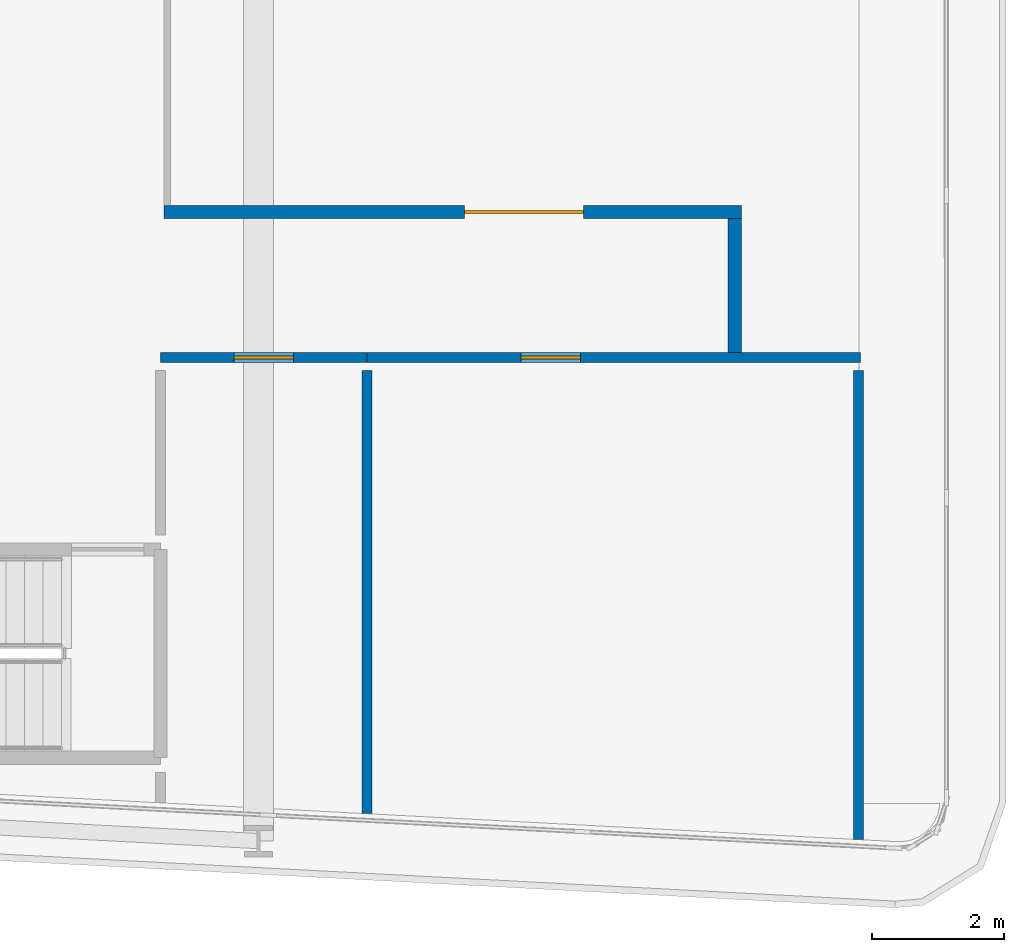
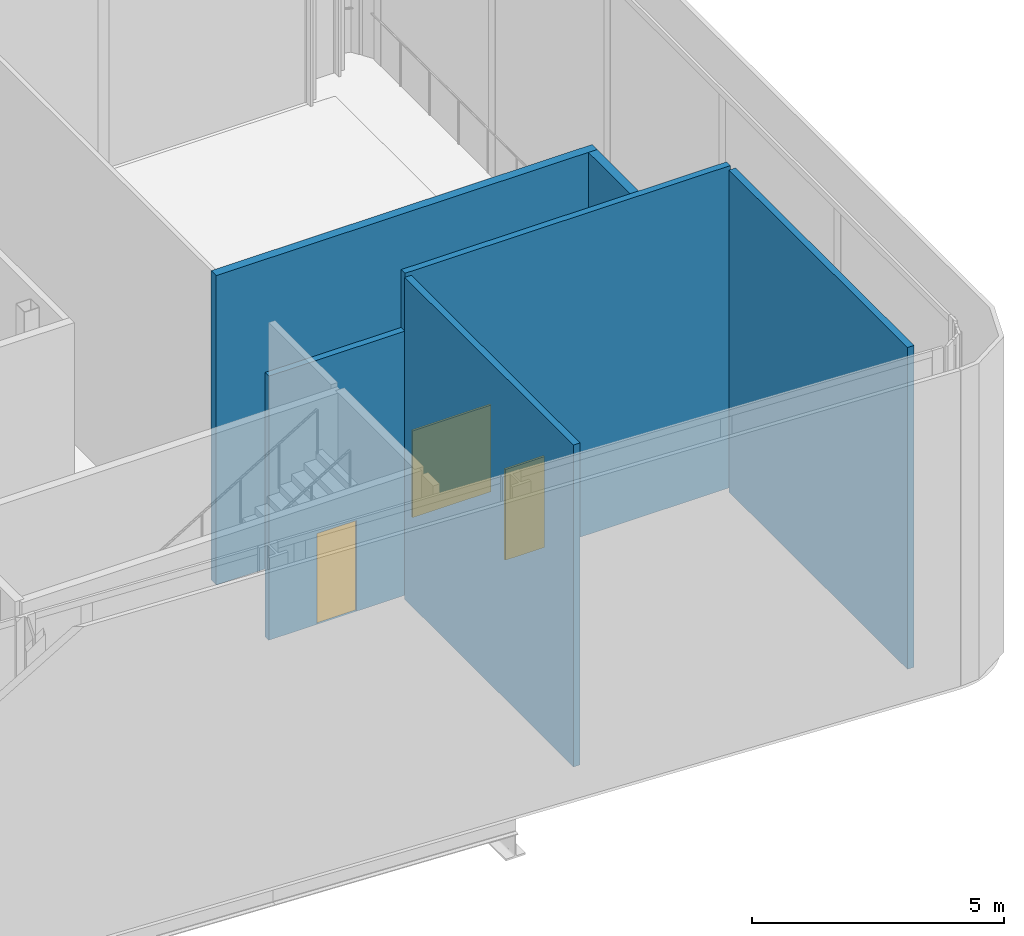
# One storey, part 28 of 36: 6 walls, 3 doors, 3 openings.
"""IFC4 building model written with IfcOpenShell, lengths in metres."""

from ifc_helpers import new_model, si_unit, direction, frame, frame_2d, origin, place, context, subcontext, project, spatial, rectangle, extrude, source, transform, mapped, material, layer, layer_set, type_object, element, fill, save


model = new_model("IFC4")

# Units and contexts
model_context = context("Model", 3, precision=1e-05, world=origin(), true_north=direction((0.0, 1.0)))
body_context = subcontext(model_context, "Body", "Model", "MODEL_VIEW")
ifc_project = project(units=[si_unit("LENGTHUNIT", "METRE"), si_unit("AREAUNIT", "SQUARE_METRE"), si_unit("VOLUMEUNIT", "CUBIC_METRE"), si_unit("PLANEANGLEUNIT", "RADIAN"), si_unit("MASSUNIT", "GRAM", prefix="KILO")], contexts=[model_context])

# Site, building, storey
site_placement = place(None, origin())
site = spatial("IfcSite", under=ifc_project, at=site_placement, CompositionType="ELEMENT")
building_placement = place(site_placement, origin())
building = spatial("IfcBuilding", under=site, at=building_placement, Name="Kheshtan School and Residences Tower", CompositionType="ELEMENT")
storey_placement = place(building_placement, frame((0.0, 0.0, 81.199951171875)))
storey = spatial("IfcBuildingStorey", under=building, at=storey_placement, Name="L19", CompositionType="ELEMENT", Elevation=81.199951171875)

# Wall, opening, door
ifc_material_1 = material(Name="Gypsum board on steel studs with fire boards", Category="steel")
ifc_layer_1 = layer(ifc_material_1, 0.199951171875)
ifc_layer_set_1 = layer_set([ifc_layer_1], Name="Corridor wall 200")
wall_type_1 = type_object("IfcWallType", Name="Corridor wall 200", PredefinedType="PARTITIONING", material=ifc_layer_set_1)
wall_1_placement = place(storey_placement, frame((89.3720703125, 30.5, 0.0), z_axis=(0.0, 0.0, 1.0), x_axis=(1.0, 0.0, 0.0)))
wall_1 = element("IfcWall", 1, at=wall_1_placement, inside=storey, type_object=wall_type_1, Name="Partition L19-035", PredefinedType="PARTITIONING", context=body_context, shape_type="SweptSolid", body=[
    extrude(rectangle(XDim=8.72802734375, YDim=0.199951171875, at=frame_2d((4.364013671875, 0.0))), origin(), (0.0, 0.0, 1.0), 7.5),
])
opening_1_placement = place(wall_1_placement, frame((4.5439453125, 0.0, 0.0)))
opening_1 = element("IfcOpeningElement", 2, at=opening_1_placement, cuts=wall_1, Name="Opening D19-005", PredefinedType="OPENING", context=body_context, shape_type="SweptSolid", body=[
    extrude(rectangle(XDim=1.800048828125, YDim=2.10009765625, at=frame_2d((0.89990234375, 1.050048828125))), frame((0.0, 0.10986328125, 0.0), z_axis=(0.0, -1.0, 0.0), x_axis=(1.0, 0.0, 0.0)), (0.0, 0.0, 1.0), 0.219970703125),
])
ifc_material_2 = material(Name="Steel-framed fire-resisting door leaf", Category="steel")
door_type_1 = type_object("IfcDoorType", Name="Fire double door FD60 1800 x 2100", OperationType="DOUBLE_DOOR_SINGLE_SWING", PredefinedType="DOOR", material=ifc_material_2)
shared_shape_1 = source(origin(), body_context, "Body", "SweptSolid", [
    extrude(rectangle(XDim=1.800048828125, YDim=2.10009765625, at=frame_2d((0.89990234375, 1.050048828125))), frame((0.0, 0.02490234375, 0.0), z_axis=(0.0, -1.0, 0.0), x_axis=(1.0, 0.0, 0.0)), (0.0, 0.0, 1.0), 0.050048828125),
])
door_1_placement = place(opening_1_placement, origin())
door_1 = element("IfcDoor", 3, at=door_1_placement, inside=storey, type_object=door_type_1, Name="Door D19-005", OperationType="DOUBLE_DOOR_SINGLE_SWING", OverallHeight=2.10009765625, OverallWidth=1.800048828125, PredefinedType="DOOR", context=body_context, shape_type="MappedRepresentation", body=[
    mapped(shared_shape_1, transform((0.0, 0.0, 0.0), x_axis=(1.0, 0.0, 0.0), y_axis=(0.0, 1.0, 0.0), z_axis=(0.0, 0.0, 1.0), scale=1.0)),
])
fill(opening_1, door_1)

# Wall
wall_2_placement = place(storey_placement, frame((98.0, 28.3740234375, 0.0), z_axis=(0.0, 0.0, 1.0), x_axis=(0.0, 1.0, 0.0)))
element("IfcWall", 4, at=wall_2_placement, inside=storey, type_object=wall_type_1, Name="Partition L19-037", PredefinedType="PARTITIONING", context=body_context, shape_type="SweptSolid", body=[
    extrude(rectangle(XDim=2.02587890625, YDim=0.199951171875, at=frame_2d((1.012939453125, 0.0))), origin(), (0.0, 0.0, 1.0), 7.5),
])

# Wall, opening, door
ifc_material_3 = material(Name="Fire-board shaft wall system")
ifc_layer_2 = layer(ifc_material_3, 0.14990234375)
ifc_layer_set_2 = layer_set([ifc_layer_2], Name="Service room wall 150")
wall_type_2 = type_object("IfcWallType", Name="Service room wall 150", PredefinedType="PARTITIONING", material=ifc_layer_set_2)
wall_3_placement = place(storey_placement, frame((89.320068359375, 28.300048828125, 0.0), z_axis=(0.0, 0.0, 1.0), x_axis=(1.0, 0.0, 0.0)))
wall_3 = element("IfcWall", 5, at=wall_3_placement, inside=storey, type_object=wall_type_2, Name="Service room wall", PredefinedType="PARTITIONING", context=body_context, shape_type="SweptSolid", body=[
    extrude(rectangle(XDim=3.121826171875, YDim=0.14990234375, at=frame_2d((1.56103515625, 0.0))), origin(), (0.0, 0.0, 1.0), 6.400146484375),
])
opening_2_placement = place(wall_3_placement, frame((1.111083984375, 0.0, 0.0)))
opening_2 = element("IfcOpeningElement", 6, at=opening_2_placement, cuts=wall_3, Name="Opening SR90", PredefinedType="OPENING", context=body_context, shape_type="SweptSolid", body=[
    extrude(rectangle(XDim=0.89990234375, YDim=2.199951171875, at=frame_2d((0.449951171875, 1.10009765625))), frame((0.0, 0.0849609375, 0.0), z_axis=(0.0, -1.0, 0.0), x_axis=(1.0, 0.0, 0.0)), (0.0, 0.0, 1.0), 0.169921875),
])
ifc_material_4 = material(Name="Steel door leaf, galvanised", Category="steel")
door_type_2 = type_object("IfcDoorType", Name="Service room door 900 steel 90 min", OperationType="SINGLE_SWING_LEFT", PredefinedType="DOOR", material=ifc_material_4)
shared_shape_2 = source(origin(), body_context, "Body", "SweptSolid", [
    extrude(rectangle(XDim=0.89990234375, YDim=2.199951171875, at=frame_2d((0.449951171875, 1.10009765625))), frame((0.0, 0.02490234375, 0.0), z_axis=(0.0, -1.0, 0.0), x_axis=(1.0, 0.0, 0.0)), (0.0, 0.0, 1.0), 0.050048828125),
])
door_2_placement = place(opening_2_placement, origin())
door_2 = element("IfcDoor", 7, at=door_2_placement, inside=storey, type_object=door_type_2, Name="Service room door", OperationType="SINGLE_SWING_RIGHT", OverallHeight=2.199951171875, OverallWidth=0.89990234375, PredefinedType="DOOR", context=body_context, shape_type="MappedRepresentation", body=[
    mapped(shared_shape_2, transform((0.0, 0.0, 0.0), x_axis=(1.0, 0.0, 0.0), y_axis=(0.0, 1.0, 0.0), z_axis=(0.0, 0.0, 1.0), scale=1.0)),
])
fill(opening_2, door_2)

# Wall
wall_4_placement = place(storey_placement, frame((92.44189453125, 21.406005859375, 0.0), z_axis=(0.0, 0.0, 1.0), x_axis=(0.0, 1.0, 0.0)))
element("IfcWall", 8, at=wall_4_placement, inside=storey, type_object=wall_type_2, Name="Service room wall", PredefinedType="PARTITIONING", context=body_context, shape_type="SweptSolid", body=[
    extrude(rectangle(XDim=6.698974609375, YDim=0.14990234375, at=frame_2d((3.349609375, 0.0))), origin(), (0.0, 0.0, 1.0), 7.800048828125),
])

# Wall, opening, door
wall_5_placement = place(storey_placement, frame((92.44189453125, 28.300048828125, 0.0), z_axis=(0.0, 0.0, 1.0), x_axis=(1.0, 0.0, 0.0)))
wall_5 = element("IfcWall", 9, at=wall_5_placement, inside=storey, type_object=wall_type_2, Name="Service room wall", PredefinedType="PARTITIONING", context=body_context, shape_type="SweptSolid", body=[
    extrude(rectangle(XDim=7.4560546875, YDim=0.14990234375, at=frame_2d((3.72802734375, 0.0))), origin(), (0.0, 0.0, 1.0), 7.800048828125),
])
opening_3_placement = place(wall_5_placement, frame((2.3291015625, 0.0, 0.0)))
opening_3 = element("IfcOpeningElement", 10, at=opening_3_placement, cuts=wall_5, Name="Opening SR90", PredefinedType="OPENING", context=body_context, shape_type="SweptSolid", body=[
    extrude(rectangle(XDim=0.89990234375, YDim=2.199951171875, at=frame_2d((0.449951171875, 1.10009765625))), frame((0.0, 0.0849609375, 0.0), z_axis=(0.0, -1.0, 0.0), x_axis=(1.0, 0.0, 0.0)), (0.0, 0.0, 1.0), 0.169921875),
])
door_3_placement = place(opening_3_placement, origin())
door_3 = element("IfcDoor", 11, at=door_3_placement, inside=storey, type_object=door_type_2, Name="Service room door", OperationType="SINGLE_SWING_RIGHT", OverallHeight=2.199951171875, OverallWidth=0.89990234375, PredefinedType="DOOR", context=body_context, shape_type="MappedRepresentation", body=[
    mapped(shared_shape_2, transform((0.0, 0.0, 0.0), x_axis=(1.0, 0.0, 0.0), y_axis=(0.0, 1.0, 0.0), z_axis=(0.0, 0.0, 1.0), scale=1.0)),
])
fill(opening_3, door_3)

# Wall
wall_6_placement = place(storey_placement, frame((99.8701171875, 21.014892578125, 0.0), z_axis=(0.0, 0.0, 1.0), x_axis=(0.0, 1.0, 0.0)))
element("IfcWall", 12, at=wall_6_placement, inside=storey, type_object=wall_type_2, Name="Service room wall", PredefinedType="PARTITIONING", context=body_context, shape_type="SweptSolid", body=[
    extrude(rectangle(XDim=7.090087890625, YDim=0.14990234375, at=frame_2d((3.544921875, 0.0))), origin(), (0.0, 0.0, 1.0), 7.800048828125),
])

save(model, "model.ifc")
